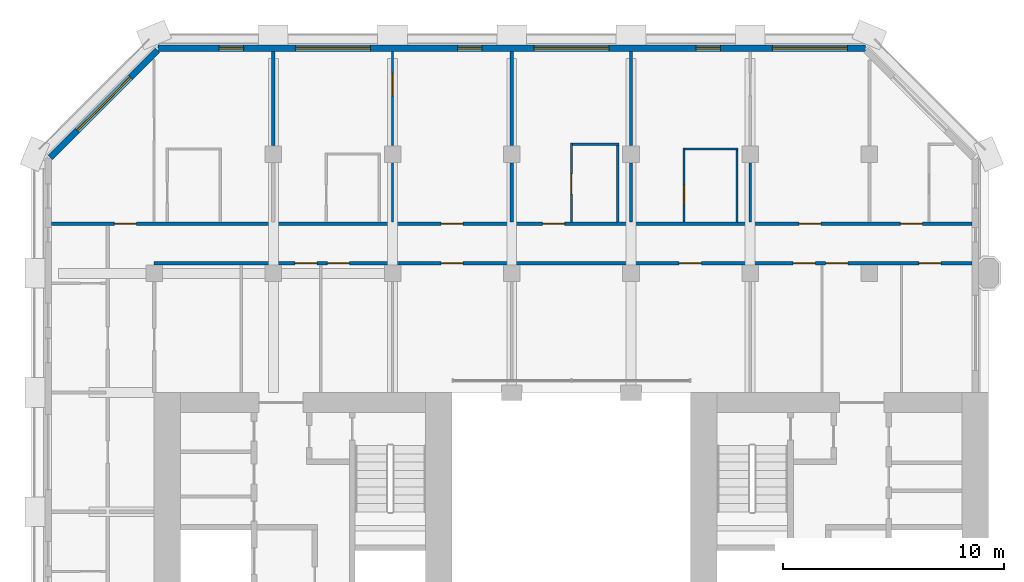
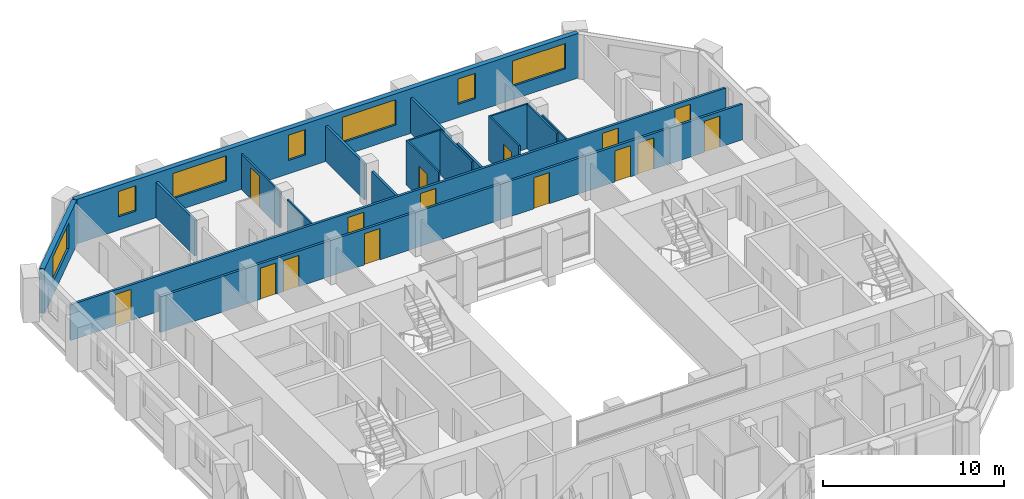
# One storey, part 10 of 14: 18 walls, 15 doors, 7 windows, 22 openings.
"""IFC4 building model written with IfcOpenShell, lengths in metres."""

from ifc_helpers import new_model, si_unit, direction, frame, frame_2d, origin, place, context, subcontext, project, spatial, rectangle, extrude, material, layer, layer_set, type_object, element, fill, save


model = new_model("IFC4")

# Units and contexts
model_context = context("Model", 3, precision=1e-05, world=origin(), true_north=direction((0.0, 1.0)))
body_context = subcontext(model_context, "Body", "Model", "MODEL_VIEW")
ifc_project = project(units=[si_unit("LENGTHUNIT", "METRE"), si_unit("AREAUNIT", "SQUARE_METRE"), si_unit("VOLUMEUNIT", "CUBIC_METRE"), si_unit("PLANEANGLEUNIT", "RADIAN"), si_unit("MASSUNIT", "GRAM", prefix="KILO")], contexts=[model_context])

# Site, building, storey
site_placement = place(None, origin())
site = spatial("IfcSite", under=ifc_project, at=site_placement, CompositionType="ELEMENT")
building_placement = place(site_placement, origin())
building = spatial("IfcBuilding", under=site, at=building_placement, Name="Tabaq Tower and Sports Hall", CompositionType="ELEMENT")
storey_placement = place(building_placement, frame((0.0, 0.0, 213.699951171875)))
storey = spatial("IfcBuildingStorey", under=building, at=storey_placement, Name="L53", CompositionType="ELEMENT", Elevation=213.699951171875)

# Wall, opening, door
ifc_material_1 = material(Name="Gypsum board on steel studs", Category="steel")
ifc_layer_1 = layer(ifc_material_1, 0.10009765625)
ifc_layer_set_1 = layer_set([ifc_layer_1], Name="Partition 100 Gypsum board")
wall_type_1 = type_object("IfcWallType", Name="Partition 100 Gypsum board", PredefinedType="PARTITIONING", material=ifc_layer_set_1)
wall_1_placement = place(storey_placement, frame((29.39990234375, 40.125, 0.0), z_axis=(0.0, 0.0, 1.0), x_axis=(0.0, 1.0, 0.0)))
wall_1 = element("IfcWall", 1, at=wall_1_placement, inside=storey, type_object=wall_type_1, Name="Partition wall L53", PredefinedType="PARTITIONING", context=body_context, shape_type="SweptSolid", body=[
    extrude(rectangle(XDim=3.35009765625, YDim=0.10009765625, at=frame_2d((1.675048828125, 0.0))), origin(), (0.0, 0.0, 1.0), 3.0),
])
opening_1_placement = place(wall_1_placement, frame((0.77197265625, 0.0, 0.0)))
opening_1 = element("IfcOpeningElement", 2, at=opening_1_placement, cuts=wall_1, Name="Opening L53-003", PredefinedType="OPENING", context=body_context, shape_type="SweptSolid", body=[
    extrude(rectangle(XDim=0.89990234375, YDim=2.10009765625, at=frame_2d((0.449951171875, 1.050048828125))), frame((0.0, 0.050048828125, 0.0), z_axis=(0.0, -1.0, 0.0), x_axis=(1.0, 0.0, 0.0)), (0.0, 0.0, 1.0), 0.10009765625),
])
ifc_material_2 = material(Name="Timber leaf in steel frame", Category="steel")
door_type_1 = type_object("IfcDoorType", Name="Internal door 900 right hand", OperationType="SINGLE_SWING_RIGHT", PredefinedType="DOOR", material=ifc_material_2)
door_1_placement = place(opening_1_placement, origin())
door_1 = element("IfcDoor", 3, at=door_1_placement, inside=storey, type_object=door_type_1, Name="Internal door L53-003", OperationType="SINGLE_SWING_RIGHT", OverallHeight=2.10009765625, OverallWidth=0.89990234375, PredefinedType="DOOR", context=body_context, shape_type="SweptSolid", body=[
    extrude(rectangle(XDim=0.89990234375, YDim=2.10009765625, at=frame_2d((0.449951171875, 1.050048828125))), frame((0.0, 0.02490234375, 0.0), z_axis=(0.0, -1.0, 0.0), x_axis=(1.0, 0.0, 0.0)), (0.0, 0.0, 1.0), 0.050048828125),
])
fill(opening_1, door_1)

# Walls
wall_2_placement = place(storey_placement, frame((29.449951171875, 43.425048828125, 0.0), z_axis=(0.0, 0.0, 1.0), x_axis=(1.0, 0.0, 0.0)))
element("IfcWall", 4, at=wall_2_placement, inside=storey, type_object=wall_type_1, Name="Partition wall L53", PredefinedType="PARTITIONING", context=body_context, shape_type="SweptSolid", body=[
    extrude(rectangle(XDim=2.400146484375, YDim=0.10009765625, at=frame_2d((1.2001953125, 0.0))), origin(), (0.0, 0.0, 1.0), 3.0),
])
wall_3_placement = place(storey_placement, frame((31.800048828125, 43.375, 0.0), z_axis=(0.0, 0.0, 1.0), x_axis=(0.0, -1.0, 0.0)))
element("IfcWall", 5, at=wall_3_placement, inside=storey, type_object=wall_type_1, Name="Partition wall L53", PredefinedType="PARTITIONING", context=body_context, shape_type="SweptSolid", body=[
    extrude(rectangle(XDim=3.25, YDim=0.10009765625, at=frame_2d((1.625, 0.0))), origin(), (0.0, 0.0, 1.0), 3.0),
])
wall_4_placement = place(storey_placement, frame((32.39990234375, 40.125, 0.0), z_axis=(0.0, 0.0, 1.0), x_axis=(0.0, 1.0, 0.0)))
element("IfcWall", 6, at=wall_4_placement, inside=storey, type_object=wall_type_1, Name="Partition wall L53", PredefinedType="PARTITIONING", context=body_context, shape_type="SweptSolid", body=[
    extrude(rectangle(XDim=2.679931640625, YDim=0.10009765625, at=frame_2d((1.33984375, 0.0))), origin(), (0.0, 0.0, 1.0), 2.400146484375),
])

# Wall, opening, door
wall_5_placement = place(storey_placement, frame((24.300048828125, 40.125, 0.0), z_axis=(0.0, 0.0, 1.0), x_axis=(0.0, 1.0, 0.0)))
wall_5 = element("IfcWall", 7, at=wall_5_placement, inside=storey, type_object=wall_type_1, Name="Partition wall L53", PredefinedType="PARTITIONING", context=body_context, shape_type="SweptSolid", body=[
    extrude(rectangle(XDim=3.574951171875, YDim=0.10009765625, at=frame_2d((1.78759765625, 0.0))), origin(), (0.0, 0.0, 1.0), 3.0),
])
opening_2_placement = place(wall_5_placement, frame((1.27490234375, 0.0, 0.0)))
opening_2 = element("IfcOpeningElement", 8, at=opening_2_placement, cuts=wall_5, Name="Opening L53-004", PredefinedType="OPENING", context=body_context, shape_type="SweptSolid", body=[
    extrude(rectangle(XDim=0.89990234375, YDim=2.10009765625, at=frame_2d((0.449951171875, 1.050048828125))), frame((0.0, 0.050048828125, 0.0), z_axis=(0.0, -1.0, 0.0), x_axis=(1.0, 0.0, 0.0)), (0.0, 0.0, 1.0), 0.10009765625),
])
ifc_material_3 = material(Name="Timber leaf in steel frame", Category="steel")
door_type_2 = type_object("IfcDoorType", Name="Internal door 900 left hand", OperationType="SINGLE_SWING_LEFT", PredefinedType="DOOR", material=ifc_material_3)
door_2_placement = place(opening_2_placement, origin())
door_2 = element("IfcDoor", 9, at=door_2_placement, inside=storey, type_object=door_type_2, Name="Internal door L53-004", OperationType="SINGLE_SWING_LEFT", OverallHeight=2.10009765625, OverallWidth=0.89990234375, PredefinedType="DOOR", context=body_context, shape_type="SweptSolid", body=[
    extrude(rectangle(XDim=0.89990234375, YDim=2.10009765625, at=frame_2d((0.449951171875, 1.050048828125))), frame((0.0, 0.02490234375, 0.0), z_axis=(0.0, -1.0, 0.0), x_axis=(1.0, 0.0, 0.0)), (0.0, 0.0, 1.0), 0.050048828125),
])
fill(opening_2, door_2)

# Walls
wall_6_placement = place(storey_placement, frame((24.35009765625, 43.64990234375, 0.0), z_axis=(0.0, 0.0, 1.0), x_axis=(1.0, 0.0, 0.0)))
element("IfcWall", 10, at=wall_6_placement, inside=storey, type_object=wall_type_1, Name="Partition wall L53", PredefinedType="PARTITIONING", context=body_context, shape_type="SweptSolid", body=[
    extrude(rectangle(XDim=2.099853515625, YDim=0.10009765625, at=frame_2d((1.0498046875, 0.0))), origin(), (0.0, 0.0, 1.0), 3.0),
])
wall_7_placement = place(storey_placement, frame((26.39990234375, 43.60009765625, 0.0), z_axis=(0.0, 0.0, 1.0), x_axis=(0.0, -1.0, 0.0)))
element("IfcWall", 11, at=wall_7_placement, inside=storey, type_object=wall_type_1, Name="Partition wall L53", PredefinedType="PARTITIONING", context=body_context, shape_type="SweptSolid", body=[
    extrude(rectangle(XDim=3.47509765625, YDim=0.10009765625, at=frame_2d((1.737548828125, 0.0))), origin(), (0.0, 0.0, 1.0), 3.0),
])
wall_8_placement = place(storey_placement, frame((16.199951171875, 40.125, 0.0), z_axis=(0.0, 0.0, 1.0), x_axis=(0.0, 1.0, 0.0)))
element("IfcWall", 12, at=wall_8_placement, inside=storey, type_object=wall_type_1, Name="Partition wall L53", PredefinedType="PARTITIONING", context=body_context, shape_type="SweptSolid", body=[
    extrude(rectangle(XDim=2.679931640625, YDim=0.10009765625, at=frame_2d((1.33984375, 0.0))), origin(), (0.0, 0.0, 1.0), 2.400146484375),
])

# Wall, opening, door
wall_9_placement = place(storey_placement, frame((16.199951171875, 43.594970703125, 0.0), z_axis=(0.0, 0.0, 1.0), x_axis=(0.0, 1.0, 0.0)))
wall_9 = element("IfcWall", 13, at=wall_9_placement, inside=storey, type_object=wall_type_1, Name="Partition wall L53", PredefinedType="PARTITIONING", context=body_context, shape_type="SweptSolid", body=[
    extrude(rectangle(XDim=4.254150390625, YDim=0.10009765625, at=frame_2d((2.126953125, 0.0))), origin(), (0.0, 0.0, 1.0), 2.400146484375),
])
opening_3_placement = place(wall_9_placement, frame((2.257080078125, 0.0, 0.0)))
opening_3 = element("IfcOpeningElement", 14, at=opening_3_placement, cuts=wall_9, Name="Opening L53-032", PredefinedType="OPENING", context=body_context, shape_type="SweptSolid", body=[
    extrude(rectangle(XDim=1.0, YDim=2.10009765625, at=frame_2d((0.5, 1.050048828125))), frame((0.0, 0.050048828125, 0.0), z_axis=(0.0, -1.0, 0.0), x_axis=(1.0, 0.0, 0.0)), (0.0, 0.0, 1.0), 0.10009765625),
])
ifc_material_4 = material(Name="Timber leaf in steel frame", Category="steel")
door_type_3 = type_object("IfcDoorType", Name="Internal door 1000 left hand", OperationType="SINGLE_SWING_LEFT", PredefinedType="DOOR", material=ifc_material_4)
door_3_placement = place(opening_3_placement, origin())
door_3 = element("IfcDoor", 15, at=door_3_placement, inside=storey, type_object=door_type_3, Name="Internal door L53-032", OperationType="SINGLE_SWING_LEFT", OverallHeight=2.10009765625, OverallWidth=1.0, PredefinedType="DOOR", context=body_context, shape_type="SweptSolid", body=[
    extrude(rectangle(XDim=1.0, YDim=2.10009765625, at=frame_2d((0.5, 1.050048828125))), frame((0.0, 0.02490234375, 0.0), z_axis=(0.0, -1.0, 0.0), x_axis=(1.0, 0.0, 0.0)), (0.0, 0.0, 1.0), 0.050048828125),
])
fill(opening_3, door_3)

# Walls
ifc_material_5 = material(Name="Blockwork", Category="masonry")
ifc_layer_2 = layer(ifc_material_5, 0.14990234375)
ifc_layer_set_2 = layer_set([ifc_layer_2], Name="Separating wall 150 Blockwork")
wall_type_2 = type_object("IfcWallType", Name="Separating wall 150 Blockwork", PredefinedType="PARTITIONING", material=ifc_layer_set_2)
wall_10_placement = place(storey_placement, frame((27.0, 47.84912109375, 0.0), z_axis=(0.0, 0.0, 1.0), x_axis=(0.0, -1.0, 0.0)))
element("IfcWall", 16, at=wall_10_placement, inside=storey, type_object=wall_type_2, Name="Separating wall L53", PredefinedType="PARTITIONING", context=body_context, shape_type="SweptSolid", body=[
    extrude(rectangle(XDim=4.254150390625, YDim=0.14990234375, at=frame_2d((2.126953125, 0.0))), origin(), (0.0, 0.0, 1.0), 2.400146484375),
])
wall_11_placement = place(storey_placement, frame((27.0, 42.804931640625, 0.0), z_axis=(0.0, 0.0, 1.0), x_axis=(0.0, -1.0, 0.0)))
element("IfcWall", 17, at=wall_11_placement, inside=storey, type_object=wall_type_2, Name="Separating wall L53", PredefinedType="PARTITIONING", context=body_context, shape_type="SweptSolid", body=[
    extrude(rectangle(XDim=2.679931640625, YDim=0.14990234375, at=frame_2d((1.33984375, 0.0))), origin(), (0.0, 0.0, 1.0), 2.400146484375),
])
wall_12_placement = place(storey_placement, frame((21.60009765625, 47.84912109375, 0.0), z_axis=(0.0, 0.0, 1.0), x_axis=(0.0, -1.0, 0.0)))
element("IfcWall", 18, at=wall_12_placement, inside=storey, type_object=wall_type_2, Name="Separating wall L53", PredefinedType="PARTITIONING", context=body_context, shape_type="SweptSolid", body=[
    extrude(rectangle(XDim=4.254150390625, YDim=0.14990234375, at=frame_2d((2.126953125, 0.0))), origin(), (0.0, 0.0, 1.0), 2.400146484375),
])
wall_13_placement = place(storey_placement, frame((21.60009765625, 42.804931640625, 0.0), z_axis=(0.0, 0.0, 1.0), x_axis=(0.0, -1.0, 0.0)))
element("IfcWall", 19, at=wall_13_placement, inside=storey, type_object=wall_type_2, Name="Separating wall L53", PredefinedType="PARTITIONING", context=body_context, shape_type="SweptSolid", body=[
    extrude(rectangle(XDim=2.679931640625, YDim=0.14990234375, at=frame_2d((1.33984375, 0.0))), origin(), (0.0, 0.0, 1.0), 2.400146484375),
])
wall_14_placement = place(storey_placement, frame((10.800048828125, 47.84912109375, 0.0), z_axis=(0.0, 0.0, 1.0), x_axis=(0.0, -1.0, 0.0)))
element("IfcWall", 20, at=wall_14_placement, inside=storey, type_object=wall_type_2, Name="Separating wall L53", PredefinedType="PARTITIONING", context=body_context, shape_type="SweptSolid", body=[
    extrude(rectangle(XDim=4.254150390625, YDim=0.14990234375, at=frame_2d((2.126953125, 0.0))), origin(), (0.0, 0.0, 1.0), 2.400146484375),
])

# Wall, openings, doors
wall_15_placement = place(storey_placement, frame((42.448974609375, 40.050048828125, 0.0), z_axis=(0.0, 0.0, 1.0), x_axis=(-1.0, 0.0, 0.0)))
wall_15 = element("IfcWall", 21, at=wall_15_placement, inside=storey, type_object=wall_type_2, Name="Separating wall L53", PredefinedType="PARTITIONING", context=body_context, shape_type="SweptSolid", body=[
    extrude(rectangle(XDim=41.697998046875, YDim=0.14990234375, at=frame_2d((20.84912109375, 0.0))), origin(), (0.0, 0.0, 1.0), 2.400146484375),
])
opening_4_placement = place(wall_15_placement, frame((2.2490234375, 0.0, 0.0)))
opening_4 = element("IfcOpeningElement", 22, at=opening_4_placement, cuts=wall_15, Name="Opening L53-028", PredefinedType="OPENING", context=body_context, shape_type="SweptSolid", body=[
    extrude(rectangle(XDim=1.0, YDim=2.10009765625, at=frame_2d((0.5, 1.050048828125))), frame((0.0, 0.074951171875, 0.0), z_axis=(0.0, -1.0, 0.0), x_axis=(1.0, 0.0, 0.0)), (0.0, 0.0, 1.0), 0.14990234375),
])
opening_5_placement = place(wall_15_placement, frame((6.84912109375, 0.0, 0.0)))
opening_5 = element("IfcOpeningElement", 23, at=opening_5_placement, cuts=wall_15, Name="Opening L53-030", PredefinedType="OPENING", context=body_context, shape_type="SweptSolid", body=[
    extrude(rectangle(XDim=1.0, YDim=2.10009765625, at=frame_2d((0.5, 1.050048828125))), frame((0.0, 0.074951171875, 0.0), z_axis=(0.0, -1.0, 0.0), x_axis=(1.0, 0.0, 0.0)), (0.0, 0.0, 1.0), 0.14990234375),
])
opening_6_placement = place(wall_15_placement, frame((18.448974609375, 0.0, 0.0)))
opening_6 = element("IfcOpeningElement", 24, at=opening_6_placement, cuts=wall_15, Name="Opening L53-031", PredefinedType="OPENING", context=body_context, shape_type="SweptSolid", body=[
    extrude(rectangle(XDim=1.0, YDim=2.10009765625, at=frame_2d((0.5, 1.050048828125))), frame((0.0, 0.074951171875, 0.0), z_axis=(0.0, -1.0, 0.0), x_axis=(1.0, 0.0, 0.0)), (0.0, 0.0, 1.0), 0.14990234375),
])
opening_7_placement = place(wall_15_placement, frame((23.049072265625, 0.0, 0.0)))
opening_7 = element("IfcOpeningElement", 25, at=opening_7_placement, cuts=wall_15, Name="Opening L53-033", PredefinedType="OPENING", context=body_context, shape_type="SweptSolid", body=[
    extrude(rectangle(XDim=1.0, YDim=2.10009765625, at=frame_2d((0.5, 1.050048828125))), frame((0.0, 0.074951171875, 0.0), z_axis=(0.0, -1.0, 0.0), x_axis=(1.0, 0.0, 0.0)), (0.0, 0.0, 1.0), 0.14990234375),
])
opening_8_placement = place(wall_15_placement, frame((37.84912109375, 0.0, 0.0)))
opening_8 = element("IfcOpeningElement", 26, at=opening_8_placement, cuts=wall_15, Name="Opening L53-035", PredefinedType="OPENING", context=body_context, shape_type="SweptSolid", body=[
    extrude(rectangle(XDim=1.0, YDim=2.10009765625, at=frame_2d((0.5, 1.050048828125))), frame((0.0, 0.074951171875, 0.0), z_axis=(0.0, -1.0, 0.0), x_axis=(1.0, 0.0, 0.0)), (0.0, 0.0, 1.0), 0.14990234375),
])
ifc_material_6 = material(Name="Steel fire door", Category="steel")
door_type_4 = type_object("IfcDoorType", Name="Entrance door 1000 left hand", OperationType="SINGLE_SWING_LEFT", PredefinedType="DOOR", material=ifc_material_6)
door_4_placement = place(opening_6_placement, origin())
door_4 = element("IfcDoor", 27, at=door_4_placement, inside=storey, type_object=door_type_4, Name="Entrance door L53-031", OperationType="SINGLE_SWING_LEFT", OverallHeight=2.10009765625, OverallWidth=1.0, PredefinedType="DOOR", context=body_context, shape_type="SweptSolid", body=[
    extrude(rectangle(XDim=1.0, YDim=2.10009765625, at=frame_2d((0.5, 1.050048828125))), frame((0.0, 0.02490234375, 0.0), z_axis=(0.0, -1.0, 0.0), x_axis=(1.0, 0.0, 0.0)), (0.0, 0.0, 1.0), 0.050048828125),
])
fill(opening_6, door_4)
door_5_placement = place(opening_7_placement, origin())
door_5 = element("IfcDoor", 28, at=door_5_placement, inside=storey, type_object=door_type_4, Name="Entrance door L53-033", OperationType="SINGLE_SWING_LEFT", OverallHeight=2.10009765625, OverallWidth=1.0, PredefinedType="DOOR", context=body_context, shape_type="SweptSolid", body=[
    extrude(rectangle(XDim=1.0, YDim=2.10009765625, at=frame_2d((0.5, 1.050048828125))), frame((0.0, 0.02490234375, 0.0), z_axis=(0.0, -1.0, 0.0), x_axis=(1.0, 0.0, 0.0)), (0.0, 0.0, 1.0), 0.050048828125),
])
fill(opening_7, door_5)
door_6_placement = place(opening_8_placement, origin())
door_6 = element("IfcDoor", 29, at=door_6_placement, inside=storey, type_object=door_type_4, Name="Entrance door L53-035", OperationType="SINGLE_SWING_LEFT", OverallHeight=2.10009765625, OverallWidth=1.0, PredefinedType="DOOR", context=body_context, shape_type="SweptSolid", body=[
    extrude(rectangle(XDim=1.0, YDim=2.10009765625, at=frame_2d((0.5, 1.050048828125))), frame((0.0, 0.02490234375, 0.0), z_axis=(0.0, -1.0, 0.0), x_axis=(1.0, 0.0, 0.0)), (0.0, 0.0, 1.0), 0.050048828125),
])
fill(opening_8, door_6)
ifc_material_7 = material(Name="Steel fire door", Category="steel")
door_type_5 = type_object("IfcDoorType", Name="Entrance door 1000 right hand", OperationType="SINGLE_SWING_RIGHT", PredefinedType="DOOR", material=ifc_material_7)
door_7_placement = place(opening_4_placement, origin())
door_7 = element("IfcDoor", 30, at=door_7_placement, inside=storey, type_object=door_type_5, Name="Entrance door L53-028", OperationType="SINGLE_SWING_RIGHT", OverallHeight=2.10009765625, OverallWidth=1.0, PredefinedType="DOOR", context=body_context, shape_type="SweptSolid", body=[
    extrude(rectangle(XDim=1.0, YDim=2.10009765625, at=frame_2d((0.5, 1.050048828125))), frame((0.0, 0.02490234375, 0.0), z_axis=(0.0, -1.0, 0.0), x_axis=(1.0, 0.0, 0.0)), (0.0, 0.0, 1.0), 0.050048828125),
])
fill(opening_4, door_7)
door_8_placement = place(opening_5_placement, origin())
door_8 = element("IfcDoor", 31, at=door_8_placement, inside=storey, type_object=door_type_5, Name="Entrance door L53-030", OperationType="SINGLE_SWING_RIGHT", OverallHeight=2.10009765625, OverallWidth=1.0, PredefinedType="DOOR", context=body_context, shape_type="SweptSolid", body=[
    extrude(rectangle(XDim=1.0, YDim=2.10009765625, at=frame_2d((0.5, 1.050048828125))), frame((0.0, 0.02490234375, 0.0), z_axis=(0.0, -1.0, 0.0), x_axis=(1.0, 0.0, 0.0)), (0.0, 0.0, 1.0), 0.050048828125),
])
fill(opening_5, door_8)

wall_16_placement = place(storey_placement, frame((42.448974609375, 38.25, 0.0), z_axis=(0.0, 0.0, 1.0), x_axis=(-1.0, 0.0, 0.0)))
wall_16 = element("IfcWall", 32, at=wall_16_placement, inside=storey, type_object=wall_type_2, Name="Separating wall L53", PredefinedType="PARTITIONING", context=body_context, shape_type="SweptSolid", body=[
    extrude(rectangle(XDim=37.049072265625, YDim=0.14990234375, at=frame_2d((18.5244140625, 0.0))), origin(), (0.0, 0.0, 1.0), 2.400146484375),
])
opening_9_placement = place(wall_16_placement, frame((12.26611328125, 0.0, 0.0)))
opening_9 = element("IfcOpeningElement", 33, at=opening_9_placement, cuts=wall_16, Name="Opening L53-007", PredefinedType="OPENING", context=body_context, shape_type="SweptSolid", body=[
    extrude(rectangle(XDim=1.0, YDim=2.10009765625, at=frame_2d((0.5, 1.050048828125))), frame((0.0, 0.074951171875, 0.0), z_axis=(0.0, -1.0, 0.0), x_axis=(1.0, 0.0, 0.0)), (0.0, 0.0, 1.0), 0.14990234375),
])
opening_10_placement = place(wall_16_placement, frame((23.049072265625, 0.0, 0.0)))
opening_10 = element("IfcOpeningElement", 34, at=opening_10_placement, cuts=wall_16, Name="Opening L53-008", PredefinedType="OPENING", context=body_context, shape_type="SweptSolid", body=[
    extrude(rectangle(XDim=1.0, YDim=2.10009765625, at=frame_2d((0.5, 1.050048828125))), frame((0.0, 0.074951171875, 0.0), z_axis=(0.0, -1.0, 0.0), x_axis=(1.0, 0.0, 0.0)), (0.0, 0.0, 1.0), 0.14990234375),
])
opening_11_placement = place(wall_16_placement, frame((1.408935546875, 0.0, 0.0)))
opening_11 = element("IfcOpeningElement", 35, at=opening_11_placement, cuts=wall_16, Name="Opening L53-010", PredefinedType="OPENING", context=body_context, shape_type="SweptSolid", body=[
    extrude(rectangle(XDim=1.0, YDim=2.10009765625, at=frame_2d((0.5, 1.050048828125))), frame((0.0, 0.074951171875, 0.0), z_axis=(0.0, -1.0, 0.0), x_axis=(1.0, 0.0, 0.0)), (0.0, 0.0, 1.0), 0.14990234375),
])
opening_12_placement = place(wall_16_placement, frame((28.198974609375, 0.0, 0.0)))
opening_12 = element("IfcOpeningElement", 36, at=opening_12_placement, cuts=wall_16, Name="Opening L53-011", PredefinedType="OPENING", context=body_context, shape_type="SweptSolid", body=[
    extrude(rectangle(XDim=1.0, YDim=2.10009765625, at=frame_2d((0.5, 1.050048828125))), frame((0.0, 0.074951171875, 0.0), z_axis=(0.0, -1.0, 0.0), x_axis=(1.0, 0.0, 0.0)), (0.0, 0.0, 1.0), 0.14990234375),
])
opening_13_placement = place(wall_16_placement, frame((7.09912109375, 0.0, 0.0)))
opening_13 = element("IfcOpeningElement", 37, at=opening_13_placement, cuts=wall_16, Name="Opening L53-013", PredefinedType="OPENING", context=body_context, shape_type="SweptSolid", body=[
    extrude(rectangle(XDim=1.0, YDim=2.10009765625, at=frame_2d((0.5, 1.050048828125))), frame((0.0, 0.074951171875, 0.0), z_axis=(0.0, -1.0, 0.0), x_axis=(1.0, 0.0, 0.0)), (0.0, 0.0, 1.0), 0.14990234375),
])
opening_14_placement = place(wall_16_placement, frame((5.62890625, 0.0, 0.0)))
opening_14 = element("IfcOpeningElement", 38, at=opening_14_placement, cuts=wall_16, Name="Opening L53-036", PredefinedType="OPENING", context=body_context, shape_type="SweptSolid", body=[
    extrude(rectangle(XDim=1.0, YDim=2.10009765625, at=frame_2d((0.5, 1.050048828125))), frame((0.0, 0.074951171875, 0.0), z_axis=(0.0, -1.0, 0.0), x_axis=(1.0, 0.0, 0.0)), (0.0, 0.0, 1.0), 0.14990234375),
])
opening_15_placement = place(wall_16_placement, frame((29.6689453125, 0.0, 0.0)))
opening_15 = element("IfcOpeningElement", 39, at=opening_15_placement, cuts=wall_16, Name="Opening L53-037", PredefinedType="OPENING", context=body_context, shape_type="SweptSolid", body=[
    extrude(rectangle(XDim=1.0, YDim=2.10009765625, at=frame_2d((0.5, 1.050048828125))), frame((0.0, 0.074951171875, 0.0), z_axis=(0.0, -1.0, 0.0), x_axis=(1.0, 0.0, 0.0)), (0.0, 0.0, 1.0), 0.14990234375),
])
door_9_placement = place(opening_9_placement, origin())
door_9 = element("IfcDoor", 40, at=door_9_placement, inside=storey, type_object=door_type_3, Name="Internal door L53-007", OperationType="SINGLE_SWING_LEFT", OverallHeight=2.10009765625, OverallWidth=1.0, PredefinedType="DOOR", context=body_context, shape_type="SweptSolid", body=[
    extrude(rectangle(XDim=1.0, YDim=2.10009765625, at=frame_2d((0.5, 1.050048828125))), frame((0.0, 0.02490234375, 0.0), z_axis=(0.0, -1.0, 0.0), x_axis=(1.0, 0.0, 0.0)), (0.0, 0.0, 1.0), 0.050048828125),
])
fill(opening_9, door_9)
door_10_placement = place(opening_13_placement, origin())
door_10 = element("IfcDoor", 41, at=door_10_placement, inside=storey, type_object=door_type_3, Name="Internal door L53-013", OperationType="SINGLE_SWING_LEFT", OverallHeight=2.10009765625, OverallWidth=1.0, PredefinedType="DOOR", context=body_context, shape_type="SweptSolid", body=[
    extrude(rectangle(XDim=1.0, YDim=2.10009765625, at=frame_2d((0.5, 1.050048828125))), frame((0.0, 0.02490234375, 0.0), z_axis=(0.0, -1.0, 0.0), x_axis=(1.0, 0.0, 0.0)), (0.0, 0.0, 1.0), 0.050048828125),
])
fill(opening_13, door_10)
door_11_placement = place(opening_14_placement, origin())
door_11 = element("IfcDoor", 42, at=door_11_placement, inside=storey, type_object=door_type_3, Name="Internal door L53-036", OperationType="SINGLE_SWING_LEFT", OverallHeight=2.10009765625, OverallWidth=1.0, PredefinedType="DOOR", context=body_context, shape_type="SweptSolid", body=[
    extrude(rectangle(XDim=1.0, YDim=2.10009765625, at=frame_2d((0.5, 1.050048828125))), frame((0.0, 0.02490234375, 0.0), z_axis=(0.0, -1.0, 0.0), x_axis=(1.0, 0.0, 0.0)), (0.0, 0.0, 1.0), 0.050048828125),
])
fill(opening_14, door_11)
ifc_material_8 = material(Name="Timber leaf in steel frame", Category="steel")
door_type_6 = type_object("IfcDoorType", Name="Internal door 1000 right hand", OperationType="SINGLE_SWING_RIGHT", PredefinedType="DOOR", material=ifc_material_8)
door_12_placement = place(opening_10_placement, origin())
door_12 = element("IfcDoor", 43, at=door_12_placement, inside=storey, type_object=door_type_6, Name="Internal door L53-008", OperationType="SINGLE_SWING_RIGHT", OverallHeight=2.10009765625, OverallWidth=1.0, PredefinedType="DOOR", context=body_context, shape_type="SweptSolid", body=[
    extrude(rectangle(XDim=1.0, YDim=2.10009765625, at=frame_2d((0.5, 1.050048828125))), frame((0.0, 0.02490234375, 0.0), z_axis=(0.0, -1.0, 0.0), x_axis=(1.0, 0.0, 0.0)), (0.0, 0.0, 1.0), 0.050048828125),
])
fill(opening_10, door_12)
door_13_placement = place(opening_11_placement, origin())
door_13 = element("IfcDoor", 44, at=door_13_placement, inside=storey, type_object=door_type_6, Name="Internal door L53-010", OperationType="SINGLE_SWING_RIGHT", OverallHeight=2.10009765625, OverallWidth=1.0, PredefinedType="DOOR", context=body_context, shape_type="SweptSolid", body=[
    extrude(rectangle(XDim=1.0, YDim=2.10009765625, at=frame_2d((0.5, 1.050048828125))), frame((0.0, 0.02490234375, 0.0), z_axis=(0.0, -1.0, 0.0), x_axis=(1.0, 0.0, 0.0)), (0.0, 0.0, 1.0), 0.050048828125),
])
fill(opening_11, door_13)
door_14_placement = place(opening_12_placement, origin())
door_14 = element("IfcDoor", 45, at=door_14_placement, inside=storey, type_object=door_type_6, Name="Internal door L53-011", OperationType="SINGLE_SWING_RIGHT", OverallHeight=2.10009765625, OverallWidth=1.0, PredefinedType="DOOR", context=body_context, shape_type="SweptSolid", body=[
    extrude(rectangle(XDim=1.0, YDim=2.10009765625, at=frame_2d((0.5, 1.050048828125))), frame((0.0, 0.02490234375, 0.0), z_axis=(0.0, -1.0, 0.0), x_axis=(1.0, 0.0, 0.0)), (0.0, 0.0, 1.0), 0.050048828125),
])
fill(opening_12, door_14)
door_15_placement = place(opening_15_placement, origin())
door_15 = element("IfcDoor", 46, at=door_15_placement, inside=storey, type_object=door_type_6, Name="Internal door L53-037", OperationType="SINGLE_SWING_RIGHT", OverallHeight=2.10009765625, OverallWidth=1.0, PredefinedType="DOOR", context=body_context, shape_type="SweptSolid", body=[
    extrude(rectangle(XDim=1.0, YDim=2.10009765625, at=frame_2d((0.5, 1.050048828125))), frame((0.0, 0.02490234375, 0.0), z_axis=(0.0, -1.0, 0.0), x_axis=(1.0, 0.0, 0.0)), (0.0, 0.0, 1.0), 0.050048828125),
])
fill(opening_15, door_15)

# Wall, openings, windows
ifc_material_9 = material(Name="White precast concrete C60/75", Category="concrete")
ifc_layer_3 = layer(ifc_material_9, 0.300048828125)
ifc_layer_set_3 = layer_set([ifc_layer_3], Name="White precast concrete C60/75 external wall 300")
wall_type_3 = type_object("IfcWallType", Name="White precast concrete C60/75 external wall 300", PredefinedType="SOLIDWALL", material=ifc_layer_set_3)
wall_17_placement = place(storey_placement, frame((37.613525390625, 48.0, 0.0), z_axis=(0.0, 0.0, 1.0), x_axis=(-1.0, 0.0, 0.0)))
wall_17 = element("IfcWall", 47, at=wall_17_placement, inside=storey, type_object=wall_type_3, Name="External Wall L53 N", PredefinedType="SOLIDWALL", context=body_context, shape_type="SweptSolid", body=[
    extrude(rectangle(XDim=32.027099609375, YDim=0.300048828125, at=frame_2d((16.013671875, 0.0))), origin(), (0.0, 0.0, 1.0), 3.0),
])
opening_16_placement = place(wall_17_placement, frame((0.813720703125, 0.0, 0.89990234375)))
opening_16 = element("IfcOpeningElement", 48, at=opening_16_placement, cuts=wall_17, Name="Opening W1A", PredefinedType="OPENING", context=body_context, shape_type="SweptSolid", body=[
    extrude(rectangle(XDim=3.39990234375, YDim=1.699951171875, at=frame_2d((1.699951171875, 0.85009765625))), frame((0.0, 0.16015625, 0.0), z_axis=(0.0, -1.0, 0.0), x_axis=(1.0, 0.0, 0.0)), (0.0, 0.0, 1.0), 0.320068359375),
])
opening_17_placement = place(wall_17_placement, frame((6.563720703125, 0.0, 0.89990234375)))
opening_17 = element("IfcOpeningElement", 49, at=opening_17_placement, cuts=wall_17, Name="Opening W1B", PredefinedType="OPENING", context=body_context, shape_type="SweptSolid", body=[
    extrude(rectangle(XDim=1.10009765625, YDim=1.699951171875, at=frame_2d((0.550048828125, 0.85009765625))), frame((0.0, 0.16015625, 0.0), z_axis=(0.0, -1.0, 0.0), x_axis=(1.0, 0.0, 0.0)), (0.0, 0.0, 1.0), 0.320068359375),
])
opening_18_placement = place(wall_17_placement, frame((11.613525390625, 0.0, 0.89990234375)))
opening_18 = element("IfcOpeningElement", 50, at=opening_18_placement, cuts=wall_17, Name="Opening W1A", PredefinedType="OPENING", context=body_context, shape_type="SweptSolid", body=[
    extrude(rectangle(XDim=3.39990234375, YDim=1.699951171875, at=frame_2d((1.699951171875, 0.85009765625))), frame((0.0, 0.16015625, 0.0), z_axis=(0.0, -1.0, 0.0), x_axis=(1.0, 0.0, 0.0)), (0.0, 0.0, 1.0), 0.320068359375),
])
opening_19_placement = place(wall_17_placement, frame((17.363525390625, 0.0, 0.89990234375)))
opening_19 = element("IfcOpeningElement", 51, at=opening_19_placement, cuts=wall_17, Name="Opening W1B", PredefinedType="OPENING", context=body_context, shape_type="SweptSolid", body=[
    extrude(rectangle(XDim=1.10009765625, YDim=1.699951171875, at=frame_2d((0.550048828125, 0.85009765625))), frame((0.0, 0.16015625, 0.0), z_axis=(0.0, -1.0, 0.0), x_axis=(1.0, 0.0, 0.0)), (0.0, 0.0, 1.0), 0.320068359375),
])
opening_20_placement = place(wall_17_placement, frame((22.41357421875, 0.0, 0.89990234375)))
opening_20 = element("IfcOpeningElement", 52, at=opening_20_placement, cuts=wall_17, Name="Opening W1A", PredefinedType="OPENING", context=body_context, shape_type="SweptSolid", body=[
    extrude(rectangle(XDim=3.39990234375, YDim=1.699951171875, at=frame_2d((1.699951171875, 0.85009765625))), frame((0.0, 0.16015625, 0.0), z_axis=(0.0, -1.0, 0.0), x_axis=(1.0, 0.0, 0.0)), (0.0, 0.0, 1.0), 0.320068359375),
])
opening_21_placement = place(wall_17_placement, frame((28.16357421875, 0.0, 0.89990234375)))
opening_21 = element("IfcOpeningElement", 53, at=opening_21_placement, cuts=wall_17, Name="Opening W1B", PredefinedType="OPENING", context=body_context, shape_type="SweptSolid", body=[
    extrude(rectangle(XDim=1.10009765625, YDim=1.699951171875, at=frame_2d((0.550048828125, 0.85009765625))), frame((0.0, 0.16015625, 0.0), z_axis=(0.0, -1.0, 0.0), x_axis=(1.0, 0.0, 0.0)), (0.0, 0.0, 1.0), 0.320068359375),
])
ifc_material_10 = material(Name="Aluminium framed clear glazing", Category="aluminium")
window_type_1 = type_object("IfcWindowType", Name="Window W1A", PartitioningType="SINGLE_PANEL", PredefinedType="WINDOW", material=ifc_material_10)
window_1_placement = place(opening_16_placement, origin())
window_1 = element("IfcWindow", 54, at=window_1_placement, inside=storey, type_object=window_type_1, Name="Window W1A L53", OverallHeight=1.699951171875, OverallWidth=3.39990234375, PartitioningType="SINGLE_PANEL", PredefinedType="WINDOW", context=body_context, shape_type="SweptSolid", body=[
    extrude(rectangle(XDim=3.39990234375, YDim=1.699951171875, at=frame_2d((1.699951171875, 0.85009765625))), frame((0.0, 0.030029296875, 0.0), z_axis=(0.0, -1.0, 0.0), x_axis=(1.0, 0.0, 0.0)), (0.0, 0.0, 1.0), 0.06005859375),
])
fill(opening_16, window_1)
window_2_placement = place(opening_18_placement, origin())
window_2 = element("IfcWindow", 55, at=window_2_placement, inside=storey, type_object=window_type_1, Name="Window W1A L53", OverallHeight=1.699951171875, OverallWidth=3.39990234375, PartitioningType="SINGLE_PANEL", PredefinedType="WINDOW", context=body_context, shape_type="SweptSolid", body=[
    extrude(rectangle(XDim=3.39990234375, YDim=1.699951171875, at=frame_2d((1.699951171875, 0.85009765625))), frame((0.0, 0.030029296875, 0.0), z_axis=(0.0, -1.0, 0.0), x_axis=(1.0, 0.0, 0.0)), (0.0, 0.0, 1.0), 0.06005859375),
])
fill(opening_18, window_2)
window_3_placement = place(opening_20_placement, origin())
window_3 = element("IfcWindow", 56, at=window_3_placement, inside=storey, type_object=window_type_1, Name="Window W1A L53", OverallHeight=1.699951171875, OverallWidth=3.39990234375, PartitioningType="SINGLE_PANEL", PredefinedType="WINDOW", context=body_context, shape_type="SweptSolid", body=[
    extrude(rectangle(XDim=3.39990234375, YDim=1.699951171875, at=frame_2d((1.699951171875, 0.85009765625))), frame((0.0, 0.030029296875, 0.0), z_axis=(0.0, -1.0, 0.0), x_axis=(1.0, 0.0, 0.0)), (0.0, 0.0, 1.0), 0.06005859375),
])
fill(opening_20, window_3)
ifc_material_11 = material(Name="Aluminium framed clear glazing", Category="aluminium")
window_type_2 = type_object("IfcWindowType", Name="Window W1B", PartitioningType="SINGLE_PANEL", PredefinedType="WINDOW", material=ifc_material_11)
window_4_placement = place(opening_17_placement, origin())
window_4 = element("IfcWindow", 57, at=window_4_placement, inside=storey, type_object=window_type_2, Name="Window W1B L53", OverallHeight=1.699951171875, OverallWidth=1.10009765625, PartitioningType="SINGLE_PANEL", PredefinedType="WINDOW", context=body_context, shape_type="SweptSolid", body=[
    extrude(rectangle(XDim=1.10009765625, YDim=1.699951171875, at=frame_2d((0.550048828125, 0.85009765625))), frame((0.0, 0.030029296875, 0.0), z_axis=(0.0, -1.0, 0.0), x_axis=(1.0, 0.0, 0.0)), (0.0, 0.0, 1.0), 0.06005859375),
])
fill(opening_17, window_4)
window_5_placement = place(opening_19_placement, origin())
window_5 = element("IfcWindow", 58, at=window_5_placement, inside=storey, type_object=window_type_2, Name="Window W1B L53", OverallHeight=1.699951171875, OverallWidth=1.10009765625, PartitioningType="SINGLE_PANEL", PredefinedType="WINDOW", context=body_context, shape_type="SweptSolid", body=[
    extrude(rectangle(XDim=1.10009765625, YDim=1.699951171875, at=frame_2d((0.550048828125, 0.85009765625))), frame((0.0, 0.030029296875, 0.0), z_axis=(0.0, -1.0, 0.0), x_axis=(1.0, 0.0, 0.0)), (0.0, 0.0, 1.0), 0.06005859375),
])
fill(opening_19, window_5)
window_6_placement = place(opening_21_placement, origin())
window_6 = element("IfcWindow", 59, at=window_6_placement, inside=storey, type_object=window_type_2, Name="Window W1B L53", OverallHeight=1.699951171875, OverallWidth=1.10009765625, PartitioningType="SINGLE_PANEL", PredefinedType="WINDOW", context=body_context, shape_type="SweptSolid", body=[
    extrude(rectangle(XDim=1.10009765625, YDim=1.699951171875, at=frame_2d((0.550048828125, 0.85009765625))), frame((0.0, 0.030029296875, 0.0), z_axis=(0.0, -1.0, 0.0), x_axis=(1.0, 0.0, 0.0)), (0.0, 0.0, 1.0), 0.06005859375),
])
fill(opening_21, window_6)

# Wall, opening, window
wall_18_placement = place(storey_placement, frame((5.549560546875, 47.901123046875, 0.0), z_axis=(0.0, 0.0, 1.0), x_axis=(-0.707106781187, -0.707106781187, 0.0)))
wall_18 = element("IfcWall", 60, at=wall_18_placement, inside=storey, type_object=wall_type_3, Name="External Wall L53 NW", PredefinedType="SOLIDWALL", context=body_context, shape_type="SweptSolid", body=[
    extrude(rectangle(XDim=6.85986328125, YDim=0.300048828125, at=frame_2d((3.429931640625, 0.0))), origin(), (0.0, 0.0, 1.0), 3.0),
])
opening_22_placement = place(wall_18_placement, frame((1.729736328125, 0.0, 0.89990234375)))
opening_22 = element("IfcOpeningElement", 61, at=opening_22_placement, cuts=wall_18, Name="Opening W1A", PredefinedType="OPENING", context=body_context, shape_type="SweptSolid", body=[
    extrude(rectangle(XDim=3.39990234375, YDim=1.699951171875, at=frame_2d((1.699951171875, 0.85009765625))), frame((0.0, 0.16015625, 0.0), z_axis=(0.0, -1.0, 0.0), x_axis=(1.0, 0.0, 0.0)), (0.0, 0.0, 1.0), 0.320068359375),
])
window_7_placement = place(opening_22_placement, origin())
window_7 = element("IfcWindow", 62, at=window_7_placement, inside=storey, type_object=window_type_1, Name="Window W1A L53", OverallHeight=1.699951171875, OverallWidth=3.39990234375, PartitioningType="SINGLE_PANEL", PredefinedType="WINDOW", context=body_context, shape_type="SweptSolid", body=[
    extrude(rectangle(XDim=3.39990234375, YDim=1.699951171875, at=frame_2d((1.699951171875, 0.85009765625))), frame((0.0, 0.030029296875, 0.0), z_axis=(0.0, -1.0, 0.0), x_axis=(1.0, 0.0, 0.0)), (0.0, 0.0, 1.0), 0.06005859375),
])
fill(opening_22, window_7)

save(model, "model.ifc")
